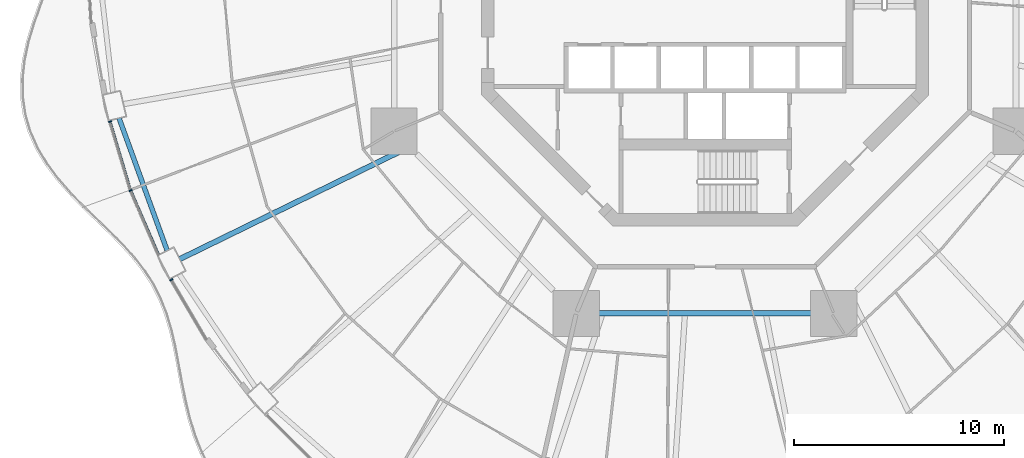
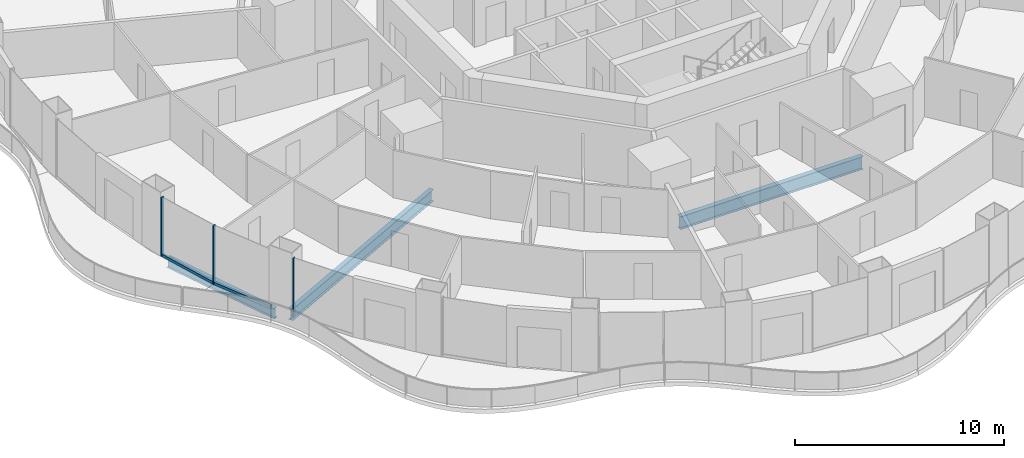
# One storey, part 3 of 22: 5 members, 3 beams, 3 elements without a shape of their own.
"""IFC4 building model written with IfcOpenShell, lengths in metres."""

from ifc_helpers import new_model, si_unit, direction, frame, origin, origin_2d, place, context, subcontext, project, spatial, rectangle, i_section, extrude, material, layer, layer_set, material_profile, profile_set, type_object, element, aggregate, save


model = new_model("IFC4")

# Units and contexts
model_context = context("Model", 3, precision=1e-05, world=origin(), true_north=direction((0.0, 1.0)))
body_context = subcontext(model_context, "Body", "Model", "MODEL_VIEW")
ifc_project = project(units=[si_unit("LENGTHUNIT", "METRE"), si_unit("AREAUNIT", "SQUARE_METRE"), si_unit("VOLUMEUNIT", "CUBIC_METRE"), si_unit("PLANEANGLEUNIT", "RADIAN"), si_unit("MASSUNIT", "GRAM", prefix="KILO")], contexts=[model_context])

# Site, building, storey
site_placement = place(None, origin())
site = spatial("IfcSite", under=ifc_project, at=site_placement, CompositionType="ELEMENT")
building_placement = place(site_placement, origin())
building = spatial("IfcBuilding", under=site, at=building_placement, Name="Nagisa Residences", CompositionType="ELEMENT")
storey_placement = place(building_placement, frame((0.0, 0.0, 77.0)))
storey = spatial("IfcBuildingStorey", under=building, at=storey_placement, Name="L18", CompositionType="ELEMENT", Elevation=77.0)

# Curtain wall, member
ifc_material_1 = material(Name="Concrete-coloured aluminium curtain wall system", Category="concrete")
ifc_layer = layer(ifc_material_1, 0.159912109375)
ifc_layer_set = layer_set([ifc_layer], Name="CW1 CURTAIN WALL")
curtain_wall_type = type_object("IfcCurtainWallType", Name="CW1 CURTAIN WALL", PredefinedType="NOTDEFINED", material=ifc_layer_set)
curtain_wall_1_placement = place(storey_placement, origin())
curtain_wall_1 = element("IfcCurtainWall", 1, at=curtain_wall_1_placement, inside=storey, type_object=curtain_wall_type, Name="cw:CW1:L18:26", PredefinedType="NOTDEFINED")
ifc_material_2 = material(Name="Concrete-coloured aluminium", Category="concrete")
ifc_material_profile_1 = material_profile(ifc_material_2, rectangle(XDim=0.159912109375, YDim=0.06005859375, at=origin_2d()), Name="CW1 MULLION 160x60")
ifc_profile_set_1 = profile_set([ifc_material_profile_1], Name="Concrete-coloured aluminium")
member_type_1 = type_object("IfcMemberType", Name="CW1 MULLION 160x60", PredefinedType="MULLION", material=ifc_profile_set_1)
member_1_placement = place(storey_placement, frame((-28.2802734375, -5.667724609375, 0.0), z_axis=(0.0, 0.0, 1.0), x_axis=(0.958271310082, 0.285860274038, 0.0)))
member_1 = element("IfcMember", 2, at=member_1_placement, type_object=member_type_1, Name="CW1 mullion", PredefinedType="MULLION", context=body_context, shape_type="SweptSolid", body=[
    extrude(rectangle(XDim=0.159912109375, YDim=0.06005859375, at=origin_2d()), origin(), (0.0, 0.0, 1.0), 3.43994140625),
])

curtain_wall_2_placement = place(storey_placement, origin())
curtain_wall_2 = element("IfcCurtainWall", 3, at=curtain_wall_2_placement, inside=storey, type_object=curtain_wall_type, Name="cw:CW1:L18:27", PredefinedType="NOTDEFINED")
member_2_placement = place(storey_placement, frame((-27.301513671875, -8.938232421875, 0.0), z_axis=(0.0, 0.0, 1.0), x_axis=(0.917543276295, 0.397635934147, 0.0)))
member_2 = element("IfcMember", 4, at=member_2_placement, type_object=member_type_1, Name="CW1 mullion", PredefinedType="MULLION", context=body_context, shape_type="SweptSolid", body=[
    extrude(rectangle(XDim=0.159912109375, YDim=0.06005859375, at=origin_2d()), origin(), (0.0, 0.0, 1.0), 3.43994140625),
])

curtain_wall_3_placement = place(storey_placement, origin())
curtain_wall_3 = element("IfcCurtainWall", 5, at=curtain_wall_3_placement, inside=storey, type_object=curtain_wall_type, Name="cw:CW1:L18:28", PredefinedType="NOTDEFINED")
member_3_placement = place(storey_placement, frame((-25.371337890625, -13.185791015625, 0.0), z_axis=(0.0, 0.0, 1.0), x_axis=(0.862328898214, 0.506348567002, 0.0)))
member_3 = element("IfcMember", 6, at=member_3_placement, type_object=member_type_1, Name="CW1 mullion", PredefinedType="MULLION", context=body_context, shape_type="SweptSolid", body=[
    extrude(rectangle(XDim=0.159912109375, YDim=0.06005859375, at=origin_2d()), origin(), (0.0, 0.0, 1.0), 3.43994140625),
])
aggregate(curtain_wall_3, [member_3])

# Member
ifc_material_3 = material(Name="Concrete-coloured aluminium", Category="concrete")
ifc_material_profile_2 = material_profile(ifc_material_3, rectangle(XDim=0.1201171875, YDim=0.14990234375, at=origin_2d()), Name="CW1 TRANSOM 120x150")
ifc_profile_set_2 = profile_set([ifc_material_profile_2], Name="Concrete-coloured aluminium")
member_type_2 = type_object("IfcMemberType", Name="CW1 TRANSOM 120x150", PredefinedType="USERDEFINED", material=ifc_profile_set_2)
member_4_placement = place(storey_placement, frame((-28.288818359375, -5.638916015625, 0.074951171875), z_axis=(0.285816610469, -0.958284334203, 0.0), x_axis=(0.958284334203, 0.285816610469, 0.0)))
member_4 = element("IfcMember", 7, at=member_4_placement, type_object=member_type_2, Name="CW1 transom", ObjectType="TRANSOM", PredefinedType="USERDEFINED", context=body_context, shape_type="SweptSolid", body=[
    extrude(rectangle(XDim=0.1201171875, YDim=0.14990234375, at=origin_2d()), origin(), (0.0, 0.0, 1.0), 3.423583984375),
])

aggregate(curtain_wall_1, [member_1, member_4])

member_5_placement = place(storey_placement, frame((-27.3134765625, -8.91064453125, 0.074951171875), z_axis=(0.397621629246, -0.917549475481, 0.0), x_axis=(0.917549475481, 0.397621629246, 0.0)))
member_5 = element("IfcMember", 8, at=member_5_placement, type_object=member_type_2, Name="CW1 transom", ObjectType="TRANSOM", PredefinedType="USERDEFINED", context=body_context, shape_type="SweptSolid", body=[
    extrude(rectangle(XDim=0.1201171875, YDim=0.14990234375, at=origin_2d()), origin(), (0.0, 0.0, 1.0), 3.37939453125),
])

aggregate(curtain_wall_2, [member_2, member_5])

# Beams
ifc_material_4 = material(Name="Steel ASTM A572 Gr 50", Category="steel")
ifc_material_profile_3 = material_profile(ifc_material_4, i_section(OverallWidth=0.264892578125, OverallDepth=0.7529296875, WebThickness=0.01318359375, FlangeThickness=0.01708984375, at=origin_2d()), Name="W760x147")
ifc_profile_set_3 = profile_set([ifc_material_profile_3], Name="Steel ASTM A572 Gr 50")
beam_type_1 = type_object("IfcBeamType", Name="Inner ring beam W760x147", PredefinedType="BEAM", material=ifc_profile_set_3)
beam_1_placement = place(storey_placement, frame((-5.04296875, -14.781982421875, -0.636474609375), z_axis=(1.0, 0.0, 0.0), x_axis=(0.0, 1.0, 0.0)))
element("IfcBeam", 9, at=beam_1_placement, inside=storey, type_object=beam_type_1, Name="beam:L18:ib6", PredefinedType="BEAM", context=body_context, shape_type="SweptSolid", body=[
    extrude(i_section(OverallWidth=0.264892578125, OverallDepth=0.7529296875, WebThickness=0.01318359375, FlangeThickness=0.01708984375, at=origin_2d()), origin(), (0.0, 0.0, 1.0), 10.0859375),
])
ifc_material_5 = material(Name="Steel ASTM A572 Gr 50", Category="steel")
ifc_material_profile_4 = material_profile(ifc_material_5, i_section(OverallWidth=0.22802734375, OverallDepth=0.60302734375, WebThickness=0.010498046875, FlangeThickness=0.014892578125, at=origin_2d()), Name="W610x101")
ifc_profile_set_4 = profile_set([ifc_material_profile_4], Name="Steel ASTM A572 Gr 50")
beam_type_2 = type_object("IfcBeamType", Name="Perimeter ring beam W610x101", PredefinedType="BEAM", material=ifc_profile_set_4)
beam_2_placement = place(storey_placement, frame((-27.851806640625, -5.505859375, -0.5615234375), z_axis=(0.341365002286, -0.939930814057, 0.0), x_axis=(0.939930814057, 0.341365002286, 0.0)))
element("IfcBeam", 10, at=beam_2_placement, inside=storey, type_object=beam_type_2, Name="beam:L18:pb14", PredefinedType="BEAM", context=body_context, shape_type="SweptSolid", body=[
    extrude(i_section(OverallWidth=0.22802734375, OverallDepth=0.60302734375, WebThickness=0.010498046875, FlangeThickness=0.014892578125, at=origin_2d()), origin(), (0.0, 0.0, 1.0), 6.689208984375),
])
ifc_material_6 = material(Name="Steel ASTM A572 Gr 50", Category="steel")
ifc_material_profile_5 = material_profile(ifc_material_6, i_section(OverallWidth=0.2529296875, OverallDepth=0.677978515625, WebThickness=0.01171875, FlangeThickness=0.016357421875, at=origin_2d()), Name="W690x125")
ifc_profile_set_5 = profile_set([ifc_material_profile_5], Name="Steel ASTM A572 Gr 50")
beam_type_3 = type_object("IfcBeamType", Name="Radial beam W690x125", PredefinedType="BEAM", material=ifc_profile_set_5)
beam_3_placement = place(storey_placement, frame((-24.965087890625, -12.200927734375, -0.59912109375), z_axis=(0.898446773802, 0.439082446296, 0.0), x_axis=(-0.439082446296, 0.898446773802, 0.0)))
element("IfcBeam", 11, at=beam_3_placement, inside=storey, type_object=beam_type_3, Name="beam:L18:rb15", PredefinedType="BEAM", context=body_context, shape_type="SweptSolid", body=[
    extrude(i_section(OverallWidth=0.2529296875, OverallDepth=0.677978515625, WebThickness=0.01171875, FlangeThickness=0.016357421875, at=origin_2d()), origin(), (0.0, 0.0, 1.0), 12.037353515625),
])

save(model, "model.ifc")
